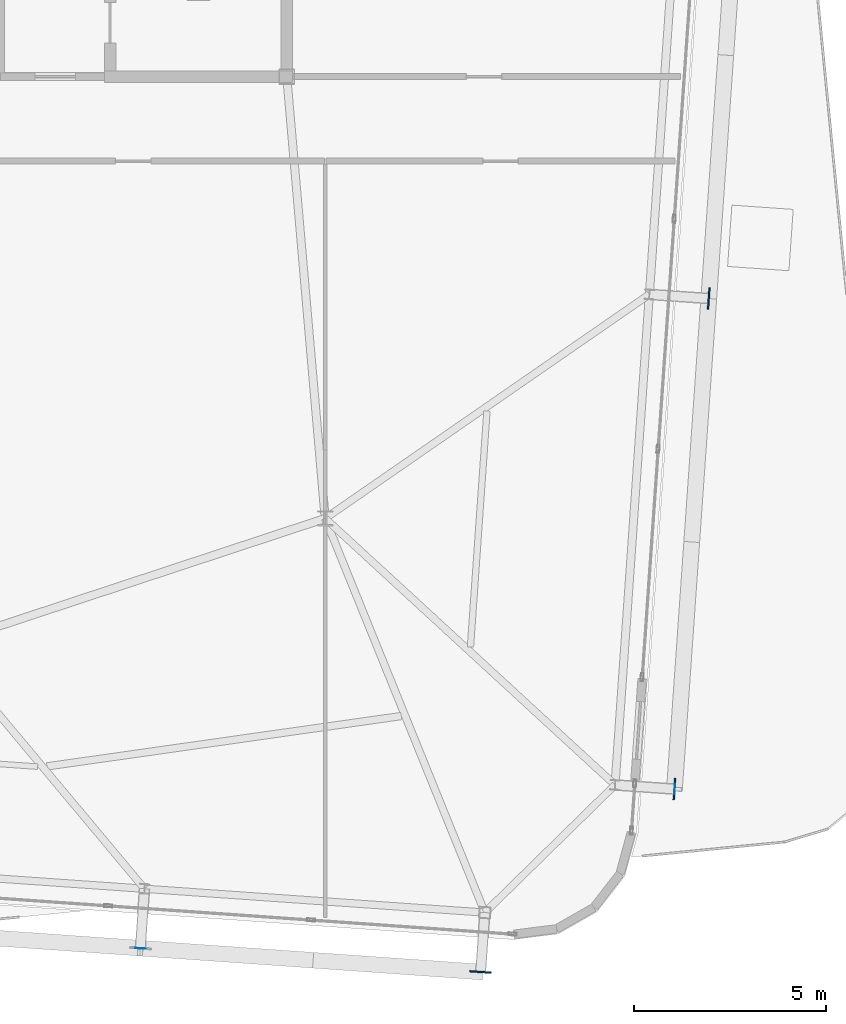
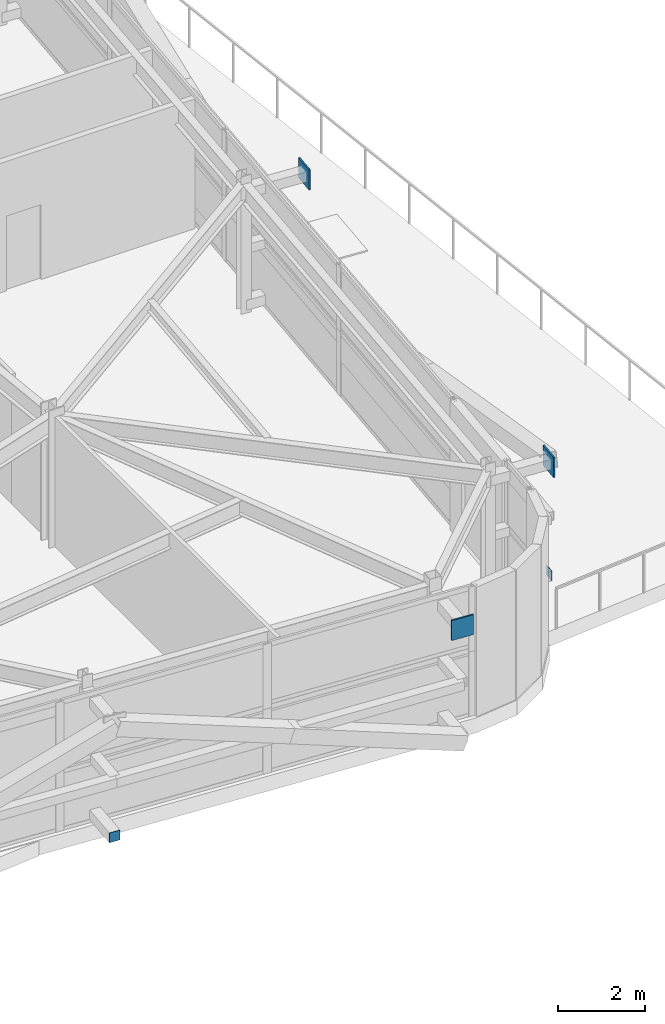
# One storey, part 27 of 36: 5 plates.
"""IFC4 building model written with IfcOpenShell, lengths in metres."""

from ifc_helpers import new_model, si_unit, direction, frame, origin, origin_2d, place, context, subcontext, project, spatial, rectangle, extrude, source, transform, mapped, material, layer, layer_set, type_object, element, save


model = new_model("IFC4")

# Units and contexts
model_context = context("Model", 3, precision=1e-05, world=origin(), true_north=direction((0.0, 1.0)))
body_context = subcontext(model_context, "Body", "Model", "MODEL_VIEW")
ifc_project = project(units=[si_unit("LENGTHUNIT", "METRE"), si_unit("AREAUNIT", "SQUARE_METRE"), si_unit("VOLUMEUNIT", "CUBIC_METRE"), si_unit("PLANEANGLEUNIT", "RADIAN"), si_unit("MASSUNIT", "GRAM", prefix="KILO")], contexts=[model_context])

# Site, building, storey
site_placement = place(None, origin())
site = spatial("IfcSite", under=ifc_project, at=site_placement, CompositionType="ELEMENT")
building_placement = place(site_placement, origin())
building = spatial("IfcBuilding", under=site, at=building_placement, Name="Taldren Reach Tower", CompositionType="ELEMENT")
storey_placement = place(building_placement, frame((0.0, 0.0, 116.550048828125)))
storey = spatial("IfcBuildingStorey", under=building, at=storey_placement, Name="L35", CompositionType="ELEMENT", Elevation=116.550048828125)

# Plates
ifc_material = material(Name="Steel Gr 450 (C450L0)", Category="steel")
ifc_layer_1 = layer(ifc_material, 0.0400390625)
ifc_layer_set_1 = layer_set([ifc_layer_1], Name="Steel Gr 450 (C450L0)")
plate_type_1 = type_object("IfcPlateType", Name="PL-GUSSET-40", PredefinedType="SHEET", material=ifc_layer_set_1)
shared_shape_1 = source(origin(), body_context, "Body", "SweptSolid", [
    extrude(rectangle(XDim=0.56005859375, YDim=0.0400390625, at=origin_2d()), origin(), (0.0, 0.0, 1.0), 0.56005859375),
])
for number, where, z_axis, x_axis, name in (
    (1, (56.04736328125, 0.695068359375, 3.06982421875), (0.0, 0.0, 1.0), (0.99756405026, -0.069756473744, 0.0), "Exoskeleton star-node gusset plate B3-S6 L35"),
    (2, (61.091552734375, 5.454833984375, 3.06982421875), (0.0, 0.0, 1.0), (0.069756473744, 0.99756405026, 0.0), "Exoskeleton star-node gusset plate B3-E1 L35"),
    (3, (61.984375, 18.2236328125, 3.06982421875), (0.0, 0.0, 1.0), (0.069756473744, 0.99756405026, 0.0), "Exoskeleton star-node gusset plate B3-E2 L35"),
):
    element("IfcPlate", number, at=place(storey_placement, frame(where, z_axis=z_axis, x_axis=x_axis)), inside=storey, type_object=plate_type_1, Name=name, PredefinedType="SHEET", context=body_context, shape_type="MappedRepresentation", body=[
        mapped(shared_shape_1, transform((0.0, 0.0, 0.0), scale=1.0)),
    ])
ifc_layer_2 = layer(ifc_material, 0.011962890625)
ifc_layer_set_2 = layer_set([ifc_layer_2], Name="Steel Gr 450 (C450L0)")
plate_type_2 = type_object("IfcPlateType", Name="PL-CAP-275", PredefinedType="SHEET", material=ifc_layer_set_2)
shared_shape_2 = source(origin(), body_context, "Body", "SweptSolid", [
    extrude(rectangle(XDim=0.27490234375, YDim=0.011962890625, at=origin_2d()), origin(), (0.0, 0.0, 1.0), 0.27490234375),
])
plate_1_placement = place(storey_placement, frame((47.1884765625, 1.308349609375, 0.08251953125), z_axis=(0.0, 0.0, 1.0), x_axis=(0.99756405026, -0.069756473744, 0.0)))
element("IfcPlate", 4, at=plate_1_placement, inside=storey, type_object=plate_type_2, Name="Tie strut end cap plate B3-S5 L35", PredefinedType="SHEET", context=body_context, shape_type="MappedRepresentation", body=[
    mapped(shared_shape_2, transform((0.0, 0.0, 0.0), scale=1.0)),
])
shared_shape_3 = source(origin(), body_context, "Body", "SweptSolid", [
    extrude(rectangle(XDim=0.011962890625, YDim=0.27490234375, at=origin_2d()), origin(), (0.0, 0.0, 1.0), 0.27490234375),
])
plate_2_placement = place(storey_placement, frame((61.09765625, 5.454345703125, 0.08251953125), z_axis=(0.0, 0.0, 1.0), x_axis=(0.99756405026, -0.069756473744, 0.0)))
element("IfcPlate", 5, at=plate_2_placement, inside=storey, type_object=plate_type_2, Name="Tie strut end cap plate B3-E1 L35", PredefinedType="SHEET", context=body_context, shape_type="MappedRepresentation", body=[
    mapped(shared_shape_3, transform((0.0, 0.0, 0.0), scale=1.0)),
])

save(model, "model.ifc")
